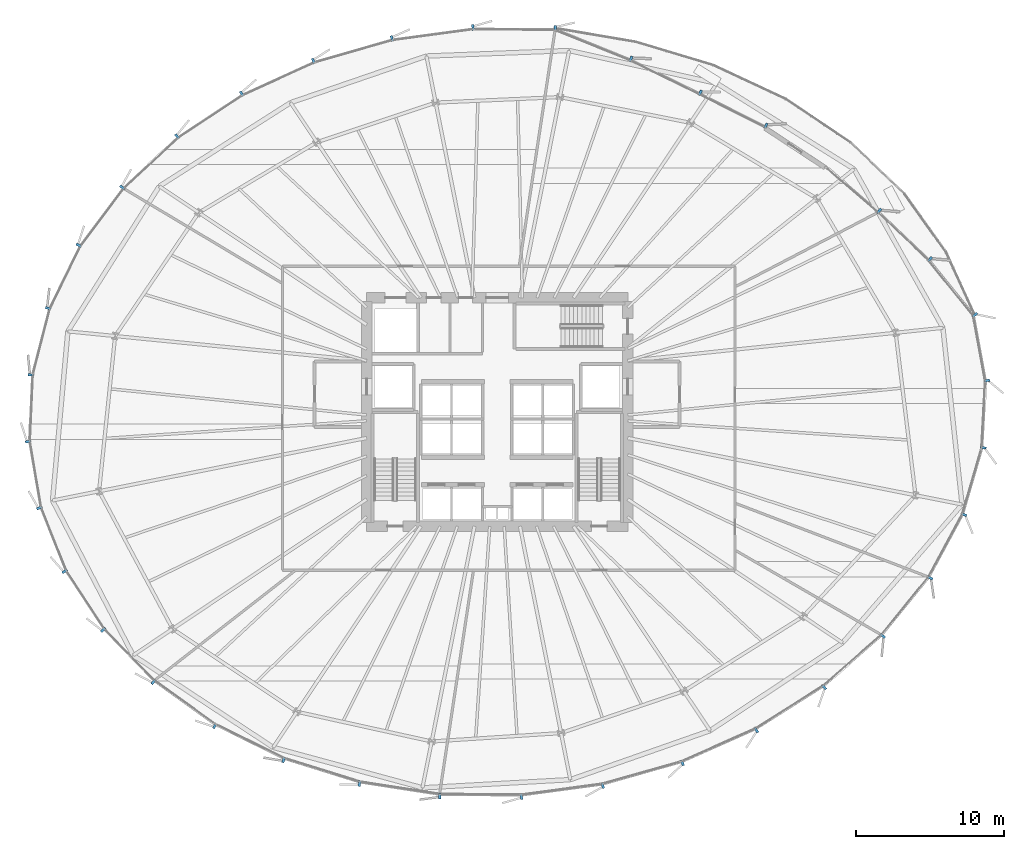
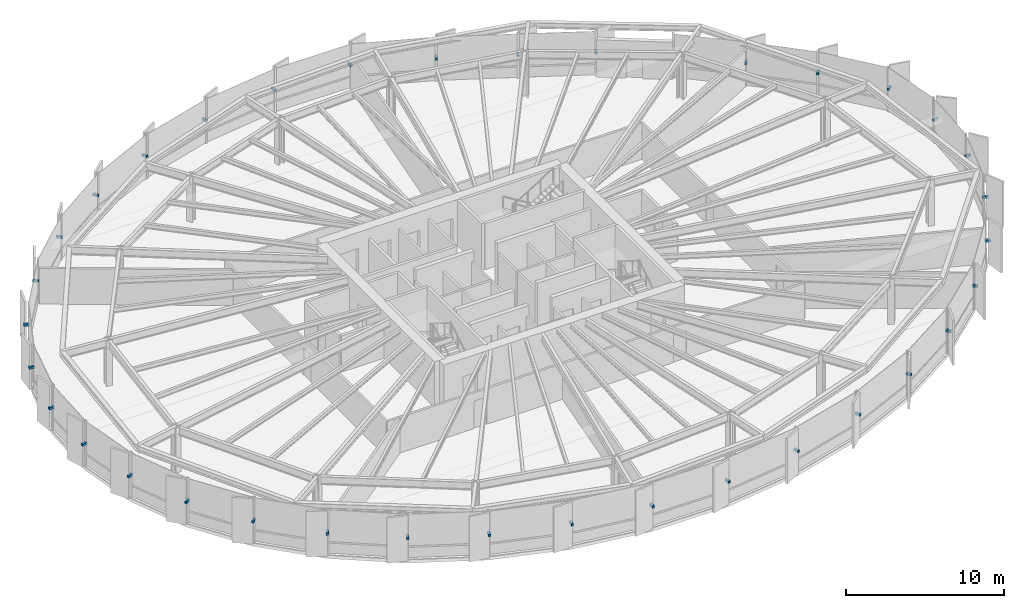
# One storey, part 34 of 39: 35 discrete accessories.
"""IFC4 building model written with IfcOpenShell, lengths in metres."""

from ifc_helpers import new_model, si_unit, direction, frame, origin, origin_2d, place, context, subcontext, project, spatial, rectangle, extrude, source, transform, mapped, material, type_object, element, save


model = new_model("IFC4")

# Units and contexts
model_context = context("Model", 3, precision=1e-05, world=origin(), true_north=direction((0.0, 1.0)))
body_context = subcontext(model_context, "Body", "Model", "MODEL_VIEW")
ifc_project = project(units=[si_unit("LENGTHUNIT", "METRE"), si_unit("AREAUNIT", "SQUARE_METRE"), si_unit("VOLUMEUNIT", "CUBIC_METRE"), si_unit("PLANEANGLEUNIT", "RADIAN"), si_unit("MASSUNIT", "GRAM", prefix="KILO"), si_unit("THERMODYNAMICTEMPERATUREUNIT", "KELVIN")], contexts=[model_context])

# Site, building, storey
site_placement = place(None, origin())
site = spatial("IfcSite", under=ifc_project, at=site_placement, CompositionType="ELEMENT")
building_placement = place(site_placement, origin())
building = spatial("IfcBuilding", under=site, at=building_placement, Name="Kethvar Cultural Tower", CompositionType="ELEMENT")
storey_placement = place(building_placement, frame((0.0, 0.0, 44.800048828125)))
storey = spatial("IfcBuildingStorey", under=building, at=storey_placement, Name="L10", CompositionType="ELEMENT", Elevation=44.800048828125)

# Discrete accessories
ifc_material = material(Name="Steel S355J2", Category="steel")
discrete_accessory_type = type_object("IfcDiscreteAccessoryType", Name="Steel Fin Bracket BRK-01", PredefinedType="BRACKET", material=ifc_material)
shared_shape = source(origin(), body_context, "Body", "SweptSolid", [
    extrude(rectangle(XDim=0.3798828125, YDim=0.159912109375, at=origin_2d()), origin(), (0.0, 0.0, 1.0), 0.179931640625),
])
for number, where, z_axis, x_axis, name in (
    (1, (79.810302734375, 29.920166015625, 1.68505859375), (0.0, 0.0, 1.0), (0.98372862895, 0.179660748593, 0.0), "L10 Terracotta Fin Bracket 1.1"),
    (2, (79.0, 34.349365234375, 1.68505859375), (0.0, 0.0, 1.0), (0.777145961457, 0.62932039105, 0.0), "L10 Terracotta Fin Bracket 1.2"),
    (3, (75.96533203125, 38.0966796875, 1.68505859375), (0.0, 0.0, 1.0), (0.688987322062, 0.724773392198, 0.0), "L10 Terracotta Fin Bracket 1.3"),
    (4, (72.54150390625, 41.351806640625, 1.68505859375), (0.0, 0.0, 1.0), (0.652759752463, 0.757564984384, 0.0), "L10 Terracotta Fin Bracket 1.4"),
    (5, (64.905029296875, 47.094970703125, 1.68505859375), (0.0, 0.0, 1.0), (0.450254288408, 0.892900372813, 0.0), "L10 Terracotta Fin Bracket 2.1"),
    (6, (60.4833984375, 49.32421875, 1.68505859375), (0.0, 0.0, 1.0), (0.43915532554, 0.898411153119, 0.0), "L10 Terracotta Fin Bracket 2.2"),
    (7, (55.81396484375, 51.6064453125, 1.68505859375), (0.0, 0.0, 1.0), (0.375415571225, 0.92685659564, 0.0), "L10 Terracotta Fin Bracket 2.3"),
    (8, (50.701171875, 53.676513671875, 1.68505859375), (0.0, 0.0, 1.0), (0.008552009087, 0.999963430902, 0.0), "L10 Terracotta Fin Bracket 2.4"),
    (9, (45.168212890625, 53.7236328125, 1.68505859375), (0.0, 0.0, 1.0), (-0.133986185418, 0.990983199715, 0.0), "L10 Terracotta Fin Bracket 2.5"),
    (10, (39.70263671875, 52.984130859375, 1.68505859375), (0.0, 0.0, 1.0), (-0.275469579804, 0.961309789091, 0.0), "L10 Terracotta Fin Bracket 2.6"),
    (11, (34.413818359375, 51.46240234375, 1.68505859375), (0.0, 0.0, 1.0), (-0.41501085379, 0.909816460192, 0.0), "L10 Terracotta Fin Bracket 3.1"),
    (12, (29.5771484375, 49.255859375, 1.68505859375), (0.0, 0.0, 1.0), (-0.551354688728, 0.834270943529, 0.0), "L10 Terracotta Fin Bracket 3.2"),
    (13, (25.225341796875, 46.380126953125, 1.68505859375), (0.0, 0.0, 1.0), (-0.68123211445, 0.732067487492, 0.0), "L10 Terracotta Fin Bracket 3.3"),
    (14, (21.52880859375, 42.939453125, 1.68505859375), (0.0, 0.0, 1.0), (-0.799684658487, 0.600420225326, 0.0), "L10 Terracotta Fin Bracket 3.4"),
    (15, (18.60009765625, 39.038818359375, 1.68505859375), (0.0, 0.0, 1.0), (-0.898564392509, 0.438841694139, 0.0), "L10 Terracotta Fin Bracket 3.5"),
    (16, (16.5283203125, 34.796630859375, 1.68505859375), (0.0, 0.0, 1.0), (-0.968147640378, 0.250380004054, 0.0), "L10 Terracotta Fin Bracket 3.6"),
    (17, (15.37451171875, 30.299560546875, 1.68505859375), (0.0, 0.0, 1.0), (-0.999055819385, 0.043445019893, 0.0), "L10 Terracotta Fin Bracket 4.1"),
    (18, (15.179443359375, 25.8095703125, 1.68505859375), (0.0, 0.0, 1.0), (-0.98573286102, -0.16831733929, 0.0), "L10 Terracotta Fin Bracket 4.2"),
    (19, (15.943359375, 21.337890625, 1.68505859375), (0.0, 0.0, 1.0), (-0.929132571534, -0.369746757274, 0.0), "L10 Terracotta Fin Bracket 4.3"),
    (20, (17.64501953125, 17.062744140625, 1.68505859375), (0.0, 0.0, 1.0), (-0.836477495337, -0.548001277184, 0.0), "L10 Terracotta Fin Bracket 4.4"),
    (21, (20.232421875, 13.11376953125, 1.68505859375), (0.0, 0.0, 1.0), (-0.718126297763, -0.695912796592, 0.0), "L10 Terracotta Fin Bracket 4.5"),
    (22, (23.626953125, 9.611328125, 1.68505859375), (0.0, 0.0, 1.0), (-0.584108010358, -0.811675940407, 0.0), "L10 Terracotta Fin Bracket 4.6"),
    (23, (27.763427734375, 6.642822265625, 1.68505859375), (0.0, 0.0, 1.0), (-0.442445217305, -0.896795533934, 0.0), "L10 Terracotta Fin Bracket 5.1"),
    (24, (32.403564453125, 4.354248046875, 1.68505859375), (0.0, 0.0, 1.0), (-0.297708130344, -0.954656937924, 0.0), "L10 Terracotta Fin Bracket 5.2"),
    (25, (37.518798828125, 2.759033203125, 1.68505859375), (0.0, 0.0, 1.0), (-0.152813355565, -0.98825506746, 0.0), "L10 Terracotta Fin Bracket 5.3"),
    (26, (42.91650390625, 1.9248046875, 1.68505859375), (0.0, 0.0, 1.0), (-0.008726535498, -0.999961923064, 0.0), "L10 Terracotta Fin Bracket 5.4"),
    (27, (48.431640625, 1.87646484375, 1.68505859375), (0.0, 0.0, 1.0), (0.133813224182, -0.991006569622, 0.0), "L10 Terracotta Fin Bracket 5.5"),
    (28, (53.9150390625, 2.616943359375, 1.68505859375), (0.0, 0.0, 1.0), (0.272448181614, -0.962170457006, 0.0), "L10 Terracotta Fin Bracket 5.6"),
    (29, (59.28173828125, 4.143310546875, 1.68505859375), (0.0, 0.0, 1.0), (0.406098768964, -0.913829190738, 0.0), "L10 Terracotta Fin Bracket 6.1"),
    (30, (64.269775390625, 6.359619140625, 1.68505859375), (0.0, 0.0, 1.0), (0.53464736887, -0.845075257572, 0.0), "L10 Terracotta Fin Bracket 6.2"),
    (31, (68.83740234375, 9.2490234375, 1.68505859375), (0.0, 0.0, 1.0), (0.658426777644, -0.752644789048, 0.0), "L10 Terracotta Fin Bracket 6.3"),
    (32, (72.78857421875, 12.705322265625, 1.68505859375), (0.0, 0.0, 1.0), (0.775716079622, -0.63108205791, 0.0), "L10 Terracotta Fin Bracket 6.4"),
    (33, (75.974853515625, 16.6220703125, 1.68505859375), (0.0, 0.0, 1.0), (0.880394596097, -0.474241874114, 0.0), "L10 Terracotta Fin Bracket 6.5"),
    (34, (78.267578125, 20.87841796875, 1.68505859375), (0.0, 0.0, 1.0), (0.960049854386, -0.279829014031, 0.0), "L10 Terracotta Fin Bracket 6.6"),
    (35, (79.57080078125, 25.385009765625, 1.68505859375), (0.0, 0.0, 1.0), (0.998489097451, -0.054950179912, 0.0), "L10 Terracotta Fin Bracket 7.1"),
):
    element("IfcDiscreteAccessory", number, at=place(storey_placement, frame(where, z_axis=z_axis, x_axis=x_axis)), inside=storey, type_object=discrete_accessory_type, Name=name, PredefinedType="BRACKET", context=body_context, shape_type="MappedRepresentation", body=[
        mapped(shared_shape, transform((0.0, 0.0, 0.0), scale=1.0)),
    ])

save(model, "model.ifc")
